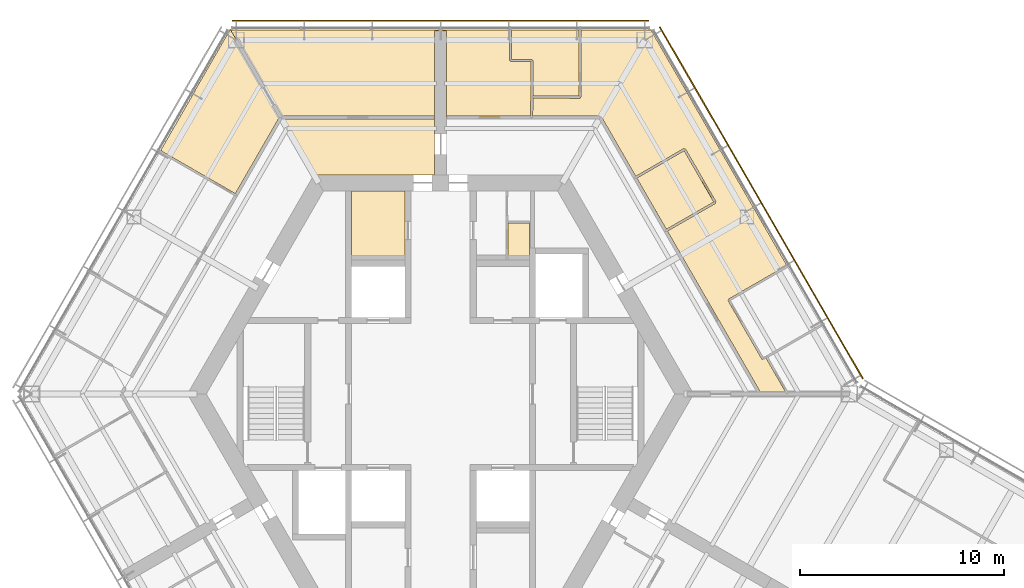
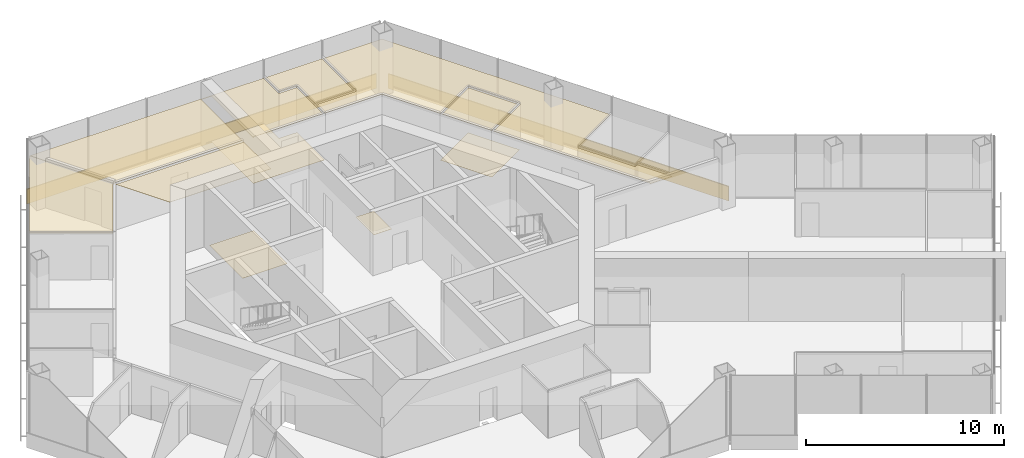
# One storey, part 17 of 17: 11 coverings, 2 shading devices.
"""IFC4 building model written with IfcOpenShell, lengths in metres."""

from ifc_helpers import new_model, si_unit, direction, frame, origin, origin_2d, place, context, subcontext, project, spatial, polyline, rectangle, outline, extrude, material, layer, layer_set, type_object, element, save


model = new_model("IFC4")

# Units and contexts
model_context = context("Model", 3, precision=1e-05, world=origin(), true_north=direction((0.0, 1.0)))
body_context = subcontext(model_context, "Body", "Model", "MODEL_VIEW")
ifc_project = project(units=[si_unit("LENGTHUNIT", "METRE"), si_unit("AREAUNIT", "SQUARE_METRE"), si_unit("VOLUMEUNIT", "CUBIC_METRE"), si_unit("PLANEANGLEUNIT", "RADIAN"), si_unit("MASSUNIT", "GRAM", prefix="KILO")], contexts=[model_context])

# Site, building, storey
site_placement = place(None, origin())
site = spatial("IfcSite", under=ifc_project, at=site_placement, CompositionType="ELEMENT")
building_placement = place(site_placement, origin())
building = spatial("IfcBuilding", under=site, at=building_placement, Name="Kasaneha Research Tower", CompositionType="ELEMENT")
storey_placement = place(building_placement, frame((0.0, 0.0, 232.300048828125)))
storey = spatial("IfcBuildingStorey", under=building, at=storey_placement, Name="L58", CompositionType="ELEMENT", Elevation=232.300048828125)

# Coverings
ifc_material_1 = material(Name="Gypsum ceiling board", Category="gypsum")
ifc_layer_1 = layer(ifc_material_1, 0.02001953125)
ifc_layer_set_1 = layer_set([ifc_layer_1], Name="Suspended ceiling 20")
covering_type_1 = type_object("IfcCoveringType", Name="Suspended ceiling 20", PredefinedType="CEILING", material=ifc_layer_set_1)
covering_1_placement = place(storey_placement, frame((0.0, 0.0, 2.800048828125)))
element("IfcCovering", 1, at=covering_1_placement, inside=storey, type_object=covering_type_1, Name="Ceiling L58-25", PredefinedType="CEILING", context=body_context, shape_type="SweptSolid", body=[
    extrude(outline(polyline([(0.300048828125, 13.525146484375), (0.300048828125, 17.7705078125), (0.0, 17.7705078125), (-0.000244140625, 17.82080078125), (3.4150390625, 17.821044921875), (3.4150390625, 17.800537109375), (3.364990234375, 17.800537109375), (3.364990234375, 16.324951171875), (3.4150390625, 16.324951171875), (3.4150390625, 16.324951171875), (3.4150390625, 16.324951171875), (3.4150390625, 16.27490234375), (4.4150390625, 16.27490234375), (4.4150390625, 14.525146484375), (4.410888671875, 13.60009765625), (0.320068359375, 13.60009765625), (0.320068359375, 13.525146484375), (0.300048828125, 13.525146484375)])), origin(), (0.0, 0.0, 1.0), 0.02001953125),
])
covering_2_placement = place(storey_placement, frame((0.0, 0.0, 2.800048828125)))
element("IfcCovering", 2, at=covering_2_placement, inside=storey, type_object=covering_type_1, Name="Ceiling L58-26", PredefinedType="CEILING", context=body_context, shape_type="SweptSolid", body=[
    extrude(outline(polyline([(9.605224609375, 10.5634765625), (11.919677734375, 11.904541015625), (13.36962890625, 9.393310546875), (11.05078125, 8.0595703125), (9.605224609375, 10.5634765625)])), origin(), (0.0, 0.0, 1.0), 0.02001953125),
])
covering_3_placement = place(storey_placement, frame((0.0, 0.0, 2.800048828125)))
element("IfcCovering", 3, at=covering_3_placement, inside=storey, type_object=covering_type_1, Name="Ceiling L58-28", PredefinedType="CEILING", context=body_context, shape_type="SweptSolid", body=[
    extrude(outline(polyline([(3.41552734375, 17.820556640625), (6.8310546875, 17.820556640625), (6.8310546875, 17.800537109375), (6.781005859375, 17.800537109375), (6.781005859375, 14.570556640625), (4.514892578125, 14.574951171875), (4.514892578125, 16.324951171875), (4.465087890625, 16.324951171875), (4.465087890625, 16.375), (3.465087890625, 16.375), (3.465087890625, 17.800537109375), (3.41552734375, 17.800537109375), (3.41552734375, 17.820556640625)])), origin(), (0.0, 0.0, 1.0), 0.02001953125),
])
covering_4_placement = place(storey_placement, frame((0.0, 0.0, 2.800048828125)))
element("IfcCovering", 4, at=covering_4_placement, inside=storey, type_object=covering_type_1, Name="Ceiling L58-30", PredefinedType="CEILING", context=body_context, shape_type="SweptSolid", body=[
    extrude(outline(polyline([(13.438232421875, 9.374755859375), (13.438232421875, 9.375), (13.481201171875, 9.39990234375), (11.981201171875, 11.998046875), (11.938232421875, 11.97314453125), (11.938232421875, 11.973388671875), (11.937744140625, 11.97314453125), (11.912841796875, 12.016357421875), (9.55517578125, 10.64990234375), (7.87353515625, 13.5625), (7.80908203125, 13.525146484375), (7.808837890625, 13.525390625), (7.80859375, 13.525390625), (7.80859375, 13.60009765625), (4.5107421875, 13.60009765625), (4.514892578125, 14.474853515625), (6.830810546875, 14.470458984375), (6.830810546875, 14.520263671875), (6.831298828125, 14.520263671875), (6.831298828125, 14.5205078125), (6.880859375, 14.5205078125), (6.880859375, 17.800537109375), (6.83154296875, 17.800537109375), (6.83154296875, 17.820556640625), (10.28857421875, 17.820556640625), (16.94677734375, 6.28857421875), (14.0888671875, 4.638427734375), (14.113525390625, 4.595458984375), (14.11328125, 4.59521484375), (14.113525390625, 4.594970703125), (14.070556640625, 4.5703125), (15.736083984375, 1.685546875), (15.78662109375, 1.71484375), (15.913330078125, 1.787353515625), (16.93994140625, 0.0), (15.617919921875, 0.0), (15.606201171875, 0.020263671875), (15.670654296875, 0.0576171875), (11.100830078125, 7.972900390625), (13.462890625, 9.33154296875), (13.43798828125, 9.374755859375), (13.438232421875, 9.374755859375)])), origin(), (0.0, 0.0, 1.0), 0.02001953125),
])
covering_5_placement = place(storey_placement, frame((0.0, 0.0, 2.800048828125)))
element("IfcCovering", 5, at=covering_5_placement, inside=storey, type_object=covering_type_1, Name="Ceiling L58-31", PredefinedType="CEILING", context=body_context, shape_type="SweptSolid", body=[
    extrude(outline(polyline([(-0.300048828125, 11.72509765625), (-0.300048828125, 10.72509765625), (-6.192138671875, 10.72509765625), (-7.765380859375, 13.449951171875), (-7.765380859375, 13.449951171875), (-0.320068359375, 13.449951171875), (-0.320068359375, 13.52490234375), (-0.300048828125, 13.52490234375), (-0.300048828125, 12.72509765625), (-0.300048828125, 11.72509765625)])), origin(), (0.0, 0.0, 1.0), 0.02001953125),
])
covering_6_placement = place(storey_placement, frame((0.0, 0.0, 2.800048828125)))
element("IfcCovering", 6, at=covering_6_placement, inside=storey, type_object=covering_type_1, Name="Ceiling L58-32", PredefinedType="CEILING", context=body_context, shape_type="SweptSolid", body=[
    extrude(outline(polyline([(-0.320068359375, 13.525390625), (-0.320068359375, 13.60009765625), (-7.78564453125, 13.60009765625), (-7.78564453125, 13.525390625), (-7.808837890625, 13.525390625), (-10.28857421875, 17.820556640625), (0.0, 17.820556640625), (0.0, 17.7705078125), (-0.300048828125, 17.7705078125), (-0.300048828125, 17.7705078125), (-0.300048828125, 13.525390625), (-0.320068359375, 13.525390625)])), origin(), (0.0, 0.0, 1.0), 0.02001953125),
])
covering_7_placement = place(storey_placement, frame((0.0, 0.0, 2.800048828125)))
element("IfcCovering", 7, at=covering_7_placement, inside=storey, type_object=covering_type_1, Name="Ceiling L58-35", PredefinedType="CEILING", context=body_context, shape_type="SweptSolid", body=[
    extrude(outline(polyline([(-12.027587890625, 14.83251953125), (-10.299072265625, 17.826416015625), (-10.291748046875, 17.83203125), (-10.282470703125, 17.830810546875), (-7.796875, 13.525634765625), (-7.8017578125, 13.513916015625), (-7.80908203125, 13.525146484375), (-7.820556640625, 13.50537109375), (-7.88525390625, 13.54248046875), (-10.04296875, 9.80517578125), (-13.7001953125, 11.911376953125), (-12.023193359375, 14.816162109375), (-12.02880859375, 14.822998046875), (-12.027587890625, 14.83251953125)])), origin(), (0.0, 0.0, 1.0), 0.02001953125),
])

# Shading devices
ifc_material_2 = material(Name="Terracotta", Category="masonry")
ifc_layer_2 = layer(ifc_material_2, 0.06005859375)
ifc_layer_set_2 = layer_set([ifc_layer_2], Name="Terracotta baguette screen")
shading_device_type = type_object("IfcShadingDeviceType", Name="Terracotta baguette screen", PredefinedType="USERDEFINED", material=ifc_layer_set_2)
shading_device_1_placement = place(storey_placement, frame((15.696044921875, 9.35498046875, -0.449951171875), z_axis=(0.0, 0.0, 1.0), x_axis=(-0.499999979232, 0.866025415775, 0.0)))
element("IfcShadingDevice", 8, at=shading_device_1_placement, inside=storey, type_object=shading_device_type, Name="Baguette screen L58 01", ObjectType="TERRACOTTA BAGUETTE SCREEN", PredefinedType="USERDEFINED", context=body_context, shape_type="SweptSolid", body=[
    extrude(rectangle(XDim=19.8857421875, YDim=0.06005859375, at=origin_2d()), origin(), (0.0, 0.0, 1.0), 0.89990234375),
])
shading_device_2_placement = place(storey_placement, frame((0.0, 18.2705078125, -0.449951171875), z_axis=(0.0, 0.0, 1.0), x_axis=(-1.0, 0.0, 0.0)))
element("IfcShadingDevice", 9, at=shading_device_2_placement, inside=storey, type_object=shading_device_type, Name="Baguette screen L58 02", ObjectType="TERRACOTTA BAGUETTE SCREEN", PredefinedType="USERDEFINED", context=body_context, shape_type="SweptSolid", body=[
    extrude(rectangle(XDim=20.392822265625, YDim=0.06005859375, at=origin_2d()), origin(), (0.0, 0.0, 1.0), 0.89990234375),
])

# Coverings
ifc_material_3 = material(Name="Vinyl sheet flooring", Category="plastic")
ifc_layer_3 = layer(ifc_material_3, 0.0048828125)
ifc_layer_set_3 = layer_set([ifc_layer_3], Name="Wet room sheet flooring 5")
covering_type_2 = type_object("IfcCoveringType", Name="Wet room sheet flooring 5", PredefinedType="FLOORING", material=ifc_layer_set_3)
covering_8_placement = place(storey_placement, origin())
element("IfcCovering", 10, at=covering_8_placement, inside=storey, type_object=covering_type_2, Name="Floor finish L58-06", PredefinedType="FLOORING", context=body_context, shape_type="SweptSolid", body=[
    extrude(outline(polyline([(-1.75, 9.925048828125), (-1.75, 6.550048828125), (-4.35009765625, 6.550048828125), (-4.35009765625, 9.925048828125), (-1.75, 9.925048828125)])), origin(), (0.0, 0.0, 1.0), 0.0048828125),
])
covering_9_placement = place(storey_placement, origin())
element("IfcCovering", 11, at=covering_9_placement, inside=storey, type_object=covering_type_2, Name="Floor finish L58-08", PredefinedType="FLOORING", context=body_context, shape_type="SweptSolid", body=[
    extrude(outline(polyline([(3.300048828125, 6.550048828125), (3.300048828125, 8.375), (4.35009765625, 8.375), (4.35009765625, 7.0), (4.35009765625, 6.550048828125), (3.300048828125, 6.550048828125)])), origin(), (0.0, 0.0, 1.0), 0.0048828125),
])
covering_10_placement = place(storey_placement, origin())
element("IfcCovering", 12, at=covering_10_placement, inside=storey, type_object=covering_type_2, Name="Floor finish L58-25", PredefinedType="FLOORING", context=body_context, shape_type="SweptSolid", body=[
    extrude(outline(polyline([(4.465087890625, 16.324951171875), (4.465087890625, 13.52490234375), (0.299560546875, 13.525146484375), (0.299560546875, 17.77001953125), (0.0, 17.77001953125), (-0.000244140625, 17.82080078125), (3.4150390625, 17.821044921875), (3.4150390625, 16.324951171875), (4.465087890625, 16.324951171875)])), origin(), (0.0, 0.0, 1.0), 0.0048828125),
])
covering_11_placement = place(storey_placement, origin())
element("IfcCovering", 13, at=covering_11_placement, inside=storey, type_object=covering_type_2, Name="Floor finish L58-26", PredefinedType="FLOORING", context=body_context, shape_type="SweptSolid", body=[
    extrude(outline(polyline([(11.93798828125, 11.972900390625), (13.43798828125, 9.375), (11.012939453125, 7.974853515625), (9.512939453125, 10.572998046875), (11.93798828125, 11.972900390625)])), origin(), (0.0, 0.0, 1.0), 0.0048828125),
])

save(model, "model.ifc")
